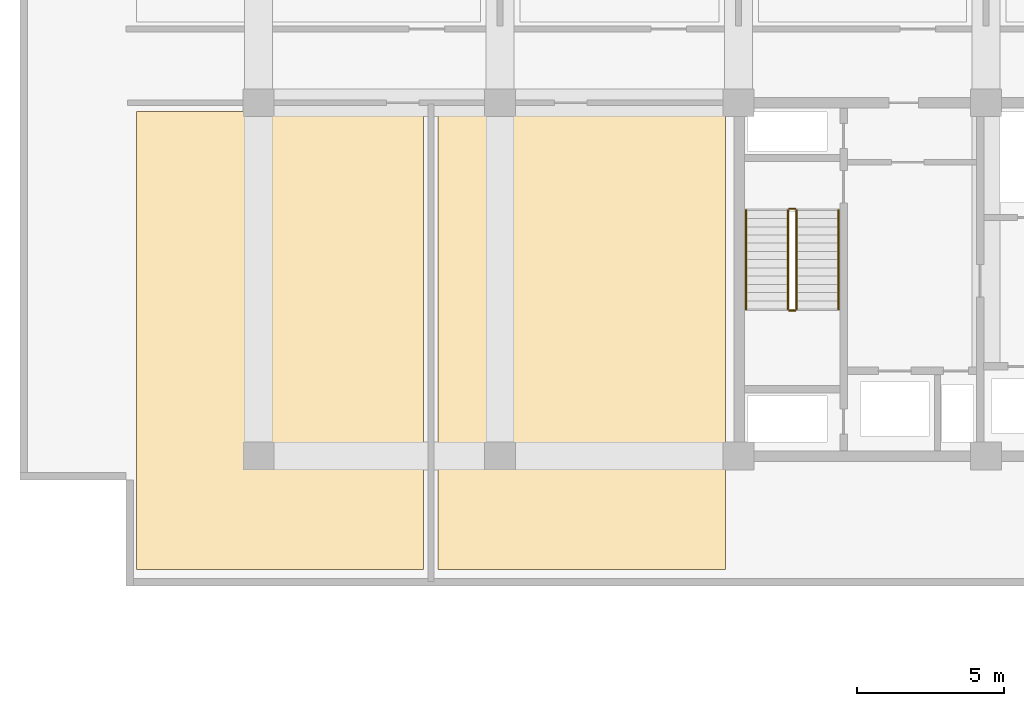
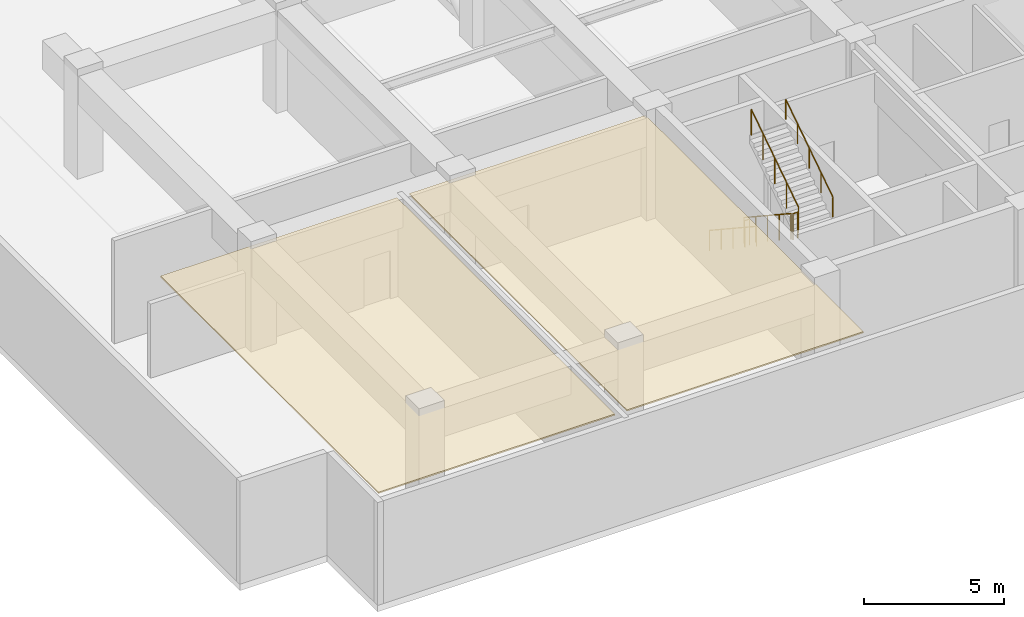
# One storey, part 18 of 21: 6 railings, 2 coverings.
"""IFC4 building model written with IfcOpenShell, lengths in metres."""

from ifc_helpers import new_model, si_unit, direction, frame, origin, origin_2d, place, context, subcontext, project, spatial, polyline, circle, outline, extrude, material, layer, layer_set, type_object, element, save


model = new_model("IFC4")

# Units and contexts
model_context = context("Model", 3, precision=1e-05, world=origin(), true_north=direction((0.0, 1.0)))
body_context = subcontext(model_context, "Body", "Model", "MODEL_VIEW")
ifc_project = project(units=[si_unit("LENGTHUNIT", "METRE"), si_unit("AREAUNIT", "SQUARE_METRE"), si_unit("VOLUMEUNIT", "CUBIC_METRE"), si_unit("PLANEANGLEUNIT", "RADIAN"), si_unit("MASSUNIT", "GRAM", prefix="KILO")], contexts=[model_context])

# Site, building, storey
site_placement = place(None, origin())
site = spatial("IfcSite", under=ifc_project, at=site_placement, CompositionType="ELEMENT")
building_placement = place(site_placement, origin())
building = spatial("IfcBuilding", under=site, at=building_placement, Name="Korimba Cascade Residences", CompositionType="ELEMENT")
storey_placement = place(building_placement, frame((0.0, 0.0, 76.0)))
storey = spatial("IfcBuildingStorey", under=building, at=storey_placement, Name="L21", CompositionType="ELEMENT", Elevation=76.0)

# Coverings
ifc_material_1 = material(Name="Mineral Wool Thermal Acoustic Insulation", Category="insulation")
ifc_layer = layer(ifc_material_1, 0.06005859375)
ifc_layer_set = layer_set([ifc_layer], Name="Mineral Wool Thermal Acoustic Insulation")
covering_type = type_object("IfcCoveringType", Name="COV-INS-60", PredefinedType="INSULATION", material=ifc_layer_set)
covering_1_placement = place(storey_placement, frame((0.0, 0.0, 4.419921875)))
element("IfcCovering", 1, at=covering_1_placement, inside=storey, type_object=covering_type, Name="L21 Mineral Wool Acoustic Soffit Insulation L21-RWW1", PredefinedType="INSULATION", context=body_context, shape_type="SweptSolid", body=[
    extrude(outline(polyline([(55.64990234375, 51.35009765625), (65.39990234375, 51.35009765625), (65.39990234375, 66.89990234375), (55.64990234375, 66.89990234375), (55.64990234375, 51.35009765625)])), origin(), (0.0, 0.0, 1.0), 0.06005859375),
])
covering_2_placement = place(storey_placement, frame((0.0, 0.0, 4.419921875)))
element("IfcCovering", 2, at=covering_2_placement, inside=storey, type_object=covering_type, Name="L21 Mineral Wool Acoustic Soffit Insulation L21-RWW2", PredefinedType="INSULATION", context=body_context, shape_type="SweptSolid", body=[
    extrude(outline(polyline([(65.89990234375, 51.35009765625), (75.64990234375, 51.35009765625), (75.64990234375, 66.89990234375), (65.89990234375, 66.89990234375), (65.89990234375, 51.35009765625)])), origin(), (0.0, 0.0, 1.0), 0.06005859375),
])

# Railings
ifc_material_2 = material(Name="Painted Steel Stairwell Guardrail", Category="steel")
railing_type_1 = type_object("IfcRailingType", Name="RLG-ST-GD1150", PredefinedType="GUARDRAIL", material=ifc_material_2)
railing_1_placement = place(storey_placement, frame((77.77001953125, 63.550048828125, 0.1845703125)))
element("IfcRailing", 3, at=railing_1_placement, inside=storey, type_object=railing_type_1, Name="L21 ST-W1 stair guard 1", PredefinedType="GUARDRAIL", context=body_context, shape_type="SweptSolid", body=[
    extrude(circle(Radius=0.02392578125, at=origin_2d()), frame((0.0, 0.0, 1.1259765625), z_axis=(0.0, -0.834876476806, 0.550437342915), x_axis=(1.0, 0.0, 0.0)), (0.0, 0.0, 1.0), 4.024658203125),
    extrude(circle(Radius=0.02099609375, at=origin_2d()), origin(), (0.0, 0.0, 1.0), 1.101806640625),
    extrude(circle(Radius=0.02099609375, at=origin_2d()), frame((0.0, -0.840087890625, 0.5537109375)), (0.0, 0.0, 1.0), 1.101806640625),
    extrude(circle(Radius=0.02099609375, at=origin_2d()), frame((0.0, -1.68017578125, 1.107666015625)), (0.0, 0.0, 1.0), 1.101806640625),
    extrude(circle(Radius=0.02099609375, at=origin_2d()), frame((0.0, -2.52001953125, 1.66162109375)), (0.0, 0.0, 1.0), 1.101806640625),
    extrude(circle(Radius=0.02099609375, at=origin_2d()), frame((0.0, -3.360107421875, 2.21533203125)), (0.0, 0.0, 1.0), 1.101806640625),
])
railing_2_placement = place(storey_placement, frame((77.820068359375, 60.139892578125, 2.39990234375)))
element("IfcRailing", 4, at=railing_2_placement, inside=storey, type_object=railing_type_1, Name="L21 ST-W1 stair guard 2", PredefinedType="GUARDRAIL", context=body_context, shape_type="SweptSolid", body=[
    extrude(circle(Radius=0.02392578125, at=origin_2d()), frame((0.0, 0.0, 1.1259765625), z_axis=(1.0, 0.0, 0.0), x_axis=(0.0, 1.0, 0.0)), (0.0, 0.0, 1.0), 0.199951171875),
    extrude(circle(Radius=0.02099609375, at=origin_2d()), origin(), (0.0, 0.0, 1.0), 1.101806640625),
    extrude(circle(Radius=0.02099609375, at=origin_2d()), frame((0.199951171875, 0.0, 0.0)), (0.0, 0.0, 1.0), 1.101806640625),
])
railing_3_placement = place(storey_placement, frame((78.070068359375, 60.18994140625, 2.584716796875)))
element("IfcRailing", 5, at=railing_3_placement, inside=storey, type_object=railing_type_1, Name="L21 ST-W1 stair guard 3", PredefinedType="GUARDRAIL", context=body_context, shape_type="SweptSolid", body=[
    extrude(circle(Radius=0.02392578125, at=origin_2d()), frame((0.0, 0.0, 1.1259765625), z_axis=(0.0, 0.834876476806, 0.550437342915), x_axis=(-1.0, 0.0, 0.0)), (0.0, 0.0, 1.0), 4.024658203125),
    extrude(circle(Radius=0.02099609375, at=origin_2d()), origin(), (0.0, 0.0, 1.0), 1.101806640625),
    extrude(circle(Radius=0.02099609375, at=origin_2d()), frame((0.0, 0.840087890625, 0.5537109375)), (0.0, 0.0, 1.0), 1.101806640625),
    extrude(circle(Radius=0.02099609375, at=origin_2d()), frame((0.0, 1.68017578125, 1.107666015625)), (0.0, 0.0, 1.0), 1.101806640625),
    extrude(circle(Radius=0.02099609375, at=origin_2d()), frame((0.0, 2.52001953125, 1.66162109375)), (0.0, 0.0, 1.0), 1.101806640625),
    extrude(circle(Radius=0.02099609375, at=origin_2d()), frame((0.0, 3.360107421875, 2.21533203125)), (0.0, 0.0, 1.0), 1.101806640625),
])
railing_4_placement = place(storey_placement, frame((77.820068359375, 63.60009765625, 0.0)))
element("IfcRailing", 6, at=railing_4_placement, inside=storey, type_object=railing_type_1, Name="L21 ST-W1 stair guard 4", PredefinedType="GUARDRAIL", context=body_context, shape_type="SweptSolid", body=[
    extrude(circle(Radius=0.02392578125, at=origin_2d()), frame((0.0, 0.0, 1.1259765625), z_axis=(1.0, 0.0, 0.0), x_axis=(0.0, 1.0, 0.0)), (0.0, 0.0, 1.0), 0.199951171875),
    extrude(circle(Radius=0.02099609375, at=origin_2d()), origin(), (0.0, 0.0, 1.0), 1.101806640625),
    extrude(circle(Radius=0.02099609375, at=origin_2d()), frame((0.199951171875, 0.0, 0.0)), (0.0, 0.0, 1.0), 1.101806640625),
])
ifc_material_3 = material(Name="Brushed Stainless Steel Handrail", Category="steel")
railing_type_2 = type_object("IfcRailingType", Name="RLG-ST-HR900", PredefinedType="HANDRAIL", material=ifc_material_3)
railing_5_placement = place(storey_placement, frame((76.35009765625, 63.550048828125, 0.373291015625)))
element("IfcRailing", 7, at=railing_5_placement, inside=storey, type_object=railing_type_2, Name="L21 ST-W1 stair handrail 1", PredefinedType="HANDRAIL", context=body_context, shape_type="SweptSolid", body=[
    extrude(circle(Radius=0.02392578125, at=origin_2d()), frame((0.0, 0.0, 0.8759765625), z_axis=(0.0, -0.834876476806, 0.550437342915), x_axis=(1.0, 0.0, 0.0)), (0.0, 0.0, 1.0), 4.024658203125),
    extrude(circle(Radius=0.02099609375, at=origin_2d()), origin(), (0.0, 0.0, 1.0), 0.851806640625),
    extrude(circle(Radius=0.02099609375, at=origin_2d()), frame((0.0, -0.840087890625, 0.5537109375)), (0.0, 0.0, 1.0), 0.851806640625),
    extrude(circle(Radius=0.02099609375, at=origin_2d()), frame((0.0, -1.68017578125, 1.107666015625)), (0.0, 0.0, 1.0), 0.851806640625),
    extrude(circle(Radius=0.02099609375, at=origin_2d()), frame((0.0, -2.52001953125, 1.66162109375)), (0.0, 0.0, 1.0), 0.851806640625),
    extrude(circle(Radius=0.02099609375, at=origin_2d()), frame((0.0, -3.360107421875, 2.21533203125)), (0.0, 0.0, 1.0), 0.851806640625),
])
railing_6_placement = place(storey_placement, frame((79.489990234375, 60.18994140625, 2.773193359375)))
element("IfcRailing", 8, at=railing_6_placement, inside=storey, type_object=railing_type_2, Name="L21 ST-W1 stair handrail 2", PredefinedType="HANDRAIL", context=body_context, shape_type="SweptSolid", body=[
    extrude(circle(Radius=0.02392578125, at=origin_2d()), frame((0.0, 0.0, 0.8759765625), z_axis=(0.0, 0.834876476806, 0.550437342915), x_axis=(-1.0, 0.0, 0.0)), (0.0, 0.0, 1.0), 4.024658203125),
    extrude(circle(Radius=0.02099609375, at=origin_2d()), origin(), (0.0, 0.0, 1.0), 0.851806640625),
    extrude(circle(Radius=0.02099609375, at=origin_2d()), frame((0.0, 0.840087890625, 0.5537109375)), (0.0, 0.0, 1.0), 0.851806640625),
    extrude(circle(Radius=0.02099609375, at=origin_2d()), frame((0.0, 1.68017578125, 1.107666015625)), (0.0, 0.0, 1.0), 0.851806640625),
    extrude(circle(Radius=0.02099609375, at=origin_2d()), frame((0.0, 2.52001953125, 1.66162109375)), (0.0, 0.0, 1.0), 0.851806640625),
    extrude(circle(Radius=0.02099609375, at=origin_2d()), frame((0.0, 3.360107421875, 2.21533203125)), (0.0, 0.0, 1.0), 0.851806640625),
])

save(model, "model.ifc")
